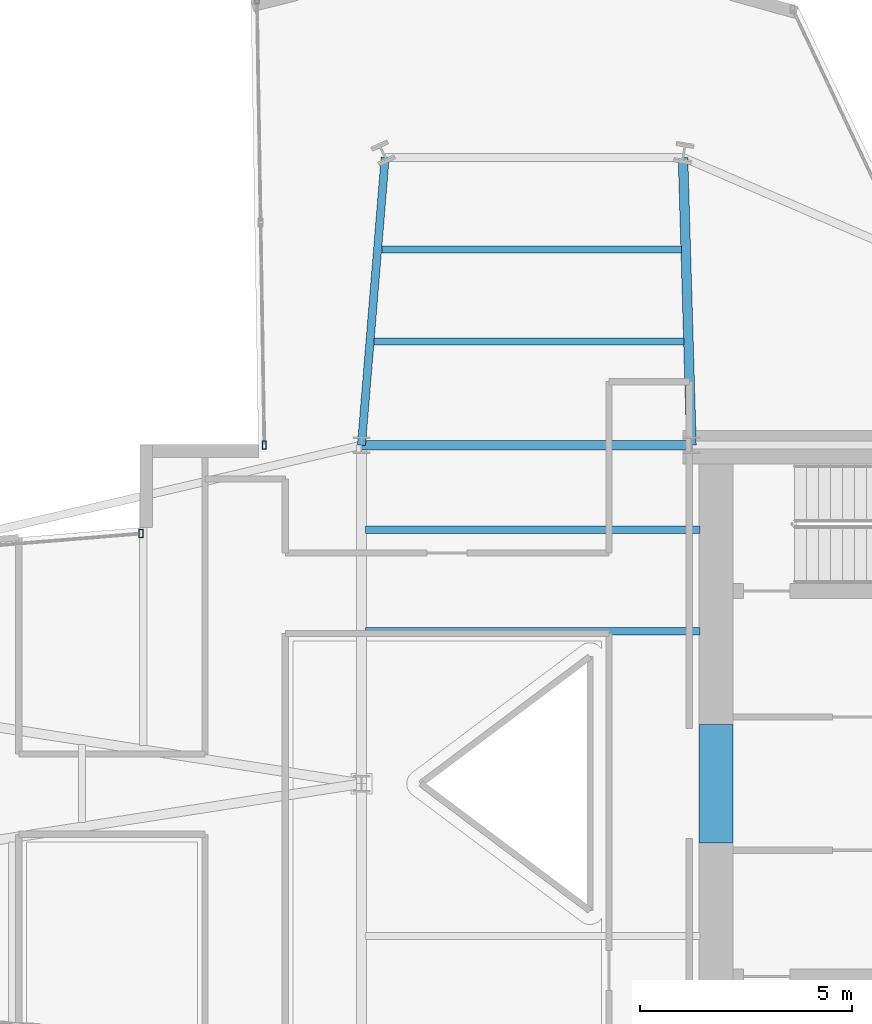
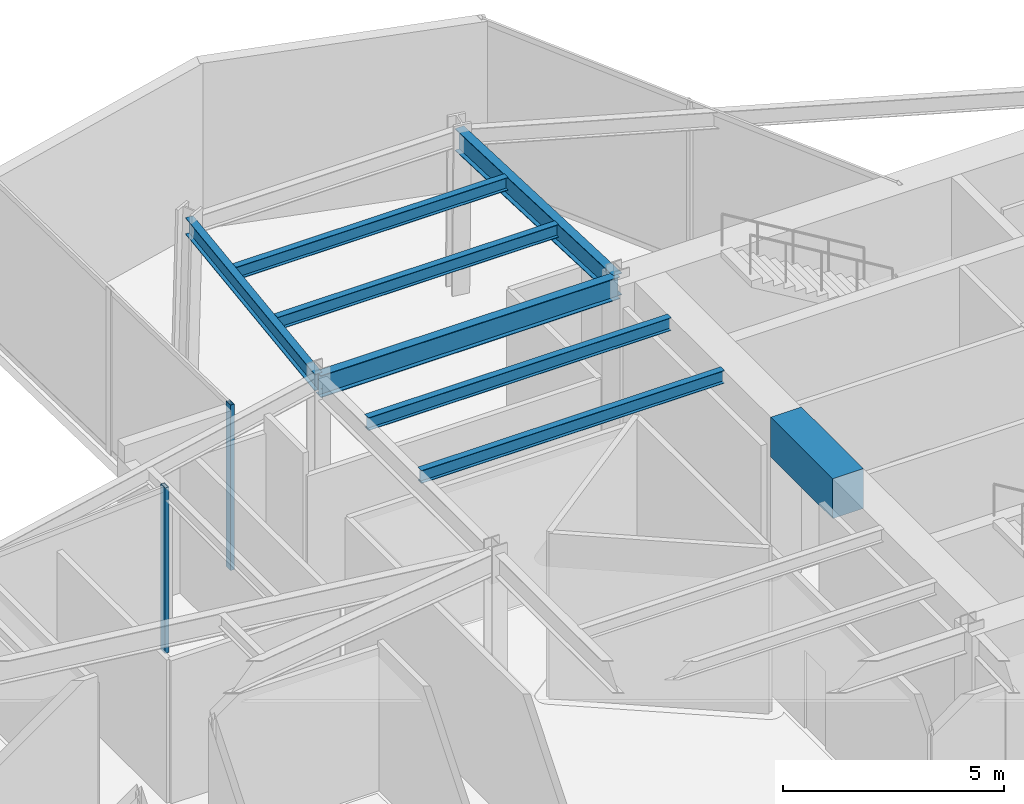
# One storey, part 5 of 13: 8 beams, 2 members, 2 elements without a shape of their own.
"""IFC4 building model written with IfcOpenShell, lengths in metres."""

from ifc_helpers import new_model, si_unit, direction, frame, origin, origin_2d, place, context, subcontext, project, spatial, rectangle, hollow_rectangle, i_section, extrude, material, layer, layer_set, material_profile, profile_set, type_object, element, aggregate, save


model = new_model("IFC4")

# Units and contexts
model_context = context("Model", 3, precision=1e-05, world=origin(), true_north=direction((0.0, 1.0)))
body_context = subcontext(model_context, "Body", "Model", "MODEL_VIEW")
ifc_project = project(units=[si_unit("LENGTHUNIT", "METRE"), si_unit("AREAUNIT", "SQUARE_METRE"), si_unit("VOLUMEUNIT", "CUBIC_METRE"), si_unit("PLANEANGLEUNIT", "RADIAN"), si_unit("MASSUNIT", "GRAM", prefix="KILO")], contexts=[model_context])

# Site, building, storey
site_placement = place(None, origin())
site = spatial("IfcSite", under=ifc_project, at=site_placement, CompositionType="ELEMENT")
building_placement = place(site_placement, origin())
building = spatial("IfcBuilding", under=site, at=building_placement, Name="Veymaron Broadcast Tower", CompositionType="ELEMENT")
storey_placement = place(building_placement, frame((0.0, 0.0, 112.050048828125)))
storey = spatial("IfcBuildingStorey", under=building, at=storey_placement, Name="L25", CompositionType="ELEMENT", Elevation=112.050048828125)

# Beams
ifc_material_1 = material(Name="Concrete C70/85", Category="concrete")
ifc_material_profile_1 = material_profile(ifc_material_1, rectangle(XDim=0.800048828125, YDim=1.10009765625, at=origin_2d()), Name="RC800X1100")
ifc_profile_set_1 = profile_set([ifc_material_profile_1], Name="Concrete C70/85")
beam_type_1 = type_object("IfcBeamType", Name="BM-CB1", PredefinedType="LINTEL", material=ifc_profile_set_1)
beam_1_placement = place(storey_placement, frame((39.580078125, 22.60009765625, 4.010009765625), z_axis=(0.0, 1.0, 0.0), x_axis=(-1.0, 0.0, 0.0)))
element("IfcBeam", 1, at=beam_1_placement, inside=storey, type_object=beam_type_1, Name="L25 Core Wall west coupling beam", PredefinedType="LINTEL", context=body_context, shape_type="SweptSolid", body=[
    extrude(rectangle(XDim=0.800048828125, YDim=1.10009765625, at=origin_2d()), origin(), (0.0, 0.0, 1.0), 2.7998046875),
])
ifc_material_2 = material(Name="Structural steel ASTM A992 Gr 50", Category="steel")
ifc_material_profile_2 = material_profile(ifc_material_2, i_section(OverallWidth=0.22802734375, OverallDepth=0.60791015625, WebThickness=0.01123046875, FlangeThickness=0.017333984375, at=origin_2d()), Name="W610X113")
ifc_profile_set_2 = profile_set([ifc_material_profile_2], Name="Structural steel ASTM A992 Gr 50")
beam_type_2 = type_object("IfcBeamType", Name="BM-FG2", PredefinedType="BEAM", material=ifc_profile_set_2)
beam_2_placement = place(storey_placement, frame((31.199951171875, 32.0, 4.255859375), z_axis=(1.0, 0.0, 0.0), x_axis=(0.0, 1.0, 0.0)))
element("IfcBeam", 2, at=beam_2_placement, inside=storey, type_object=beam_type_2, Name="L25 primary structural floor girder", PredefinedType="BEAM", context=body_context, shape_type="SweptSolid", body=[
    extrude(i_section(OverallWidth=0.22802734375, OverallDepth=0.60791015625, WebThickness=0.01123046875, FlangeThickness=0.017333984375, at=origin_2d()), origin(), (0.0, 0.0, 1.0), 7.800048828125),
])
beam_3_placement = place(storey_placement, frame((39.0, 32.0, 4.255859375), z_axis=(-0.029391669433, 0.99956797156, 0.0), x_axis=(-0.99956797156, -0.029391669433, 0.0)))
element("IfcBeam", 3, at=beam_3_placement, inside=storey, type_object=beam_type_2, Name="L25 primary structural floor girder", PredefinedType="BEAM", context=body_context, shape_type="SweptSolid", body=[
    extrude(i_section(OverallWidth=0.22802734375, OverallDepth=0.60791015625, WebThickness=0.01123046875, FlangeThickness=0.017333984375, at=origin_2d()), origin(), (0.0, 0.0, 1.0), 6.802978515625),
])
ifc_material_profile_3 = material_profile(ifc_material_2, i_section(OverallWidth=0.1708984375, OverallDepth=0.35498046875, WebThickness=0.007080078125, FlangeThickness=0.01171875, at=origin_2d()), Name="W360X51")
ifc_profile_set_3 = profile_set([ifc_material_profile_3], Name="Structural steel ASTM A992 Gr 50")
beam_type_3 = type_object("IfcBeamType", Name="BM-JS2", PredefinedType="JOIST", material=ifc_profile_set_3)
beam_4_placement = place(storey_placement, frame((31.501708984375, 34.447998046875, 4.382568359375), z_axis=(1.0, 0.0, 0.0), x_axis=(0.0, 1.0, 0.0)))
element("IfcBeam", 4, at=beam_4_placement, inside=storey, type_object=beam_type_3, Name="L25 Arm-B secondary joist 1", PredefinedType="JOIST", context=body_context, shape_type="SweptSolid", body=[
    extrude(i_section(OverallWidth=0.1708984375, OverallDepth=0.35498046875, WebThickness=0.007080078125, FlangeThickness=0.01171875, at=origin_2d()), origin(), (0.0, 0.0, 1.0), 7.326171875),
])
beam_5_placement = place(storey_placement, frame((31.680908203125, 36.6240234375, 4.382568359375), z_axis=(1.0, 0.0, 0.0), x_axis=(0.0, 1.0, 0.0)))
element("IfcBeam", 5, at=beam_5_placement, inside=storey, type_object=beam_type_3, Name="L25 Arm-B secondary joist 2", PredefinedType="JOIST", context=body_context, shape_type="SweptSolid", body=[
    extrude(i_section(OverallWidth=0.1708984375, OverallDepth=0.35498046875, WebThickness=0.007080078125, FlangeThickness=0.01171875, at=origin_2d()), origin(), (0.0, 0.0, 1.0), 7.0830078125),
])
for number, where, z_axis, x_axis, name in (
    (6, (31.300048828125, 27.60009765625, 4.382568359375), (1.0, 0.0, 0.0), (0.0, 1.0, 0.0), "L25 Hub secondary joist 3"),
    (7, (31.300048828125, 30.0, 4.382568359375), (1.0, 0.0, 0.0), (0.0, 1.0, 0.0), "L25 Hub secondary joist 4"),
):
    element("IfcBeam", number, at=place(storey_placement, frame(where, z_axis=z_axis, x_axis=x_axis)), inside=storey, type_object=beam_type_3, Name=name, PredefinedType="JOIST", context=body_context, shape_type="SweptSolid", body=[
        extrude(i_section(OverallWidth=0.1708984375, OverallDepth=0.35498046875, WebThickness=0.007080078125, FlangeThickness=0.01171875, at=origin_2d()), origin(), (0.0, 0.0, 1.0), 7.89990234375),
    ])
ifc_material_profile_4 = material_profile(ifc_material_2, i_section(OverallWidth=0.19091796875, OverallDepth=0.4599609375, WebThickness=0.010009765625, FlangeThickness=0.01611328125, at=origin_2d()), Name="W460X82")
ifc_profile_set_4 = profile_set([ifc_material_profile_4], Name="Structural steel ASTM A992 Gr 50")
beam_type_4 = type_object("IfcBeamType", Name="BM-SP1", PredefinedType="SPANDREL", material=ifc_profile_set_4)
beam_6_placement = place(storey_placement, frame((31.199951171875, 32.0, 4.329833984375), z_axis=(0.082083038904, 0.996625493716, 0.0), x_axis=(-0.996625493716, 0.082083038904, 0.0)))
element("IfcBeam", 8, at=beam_6_placement, inside=storey, type_object=beam_type_4, Name="L25 primary structural floor girder", PredefinedType="SPANDREL", context=body_context, shape_type="SweptSolid", body=[
    extrude(i_section(OverallWidth=0.19091796875, OverallDepth=0.4599609375, WebThickness=0.010009765625, FlangeThickness=0.01611328125, at=origin_2d()), origin(), (0.0, 0.0, 1.0), 6.822998046875),
])

# Curtain wall, member
ifc_material_3 = material(Name="Anodised aluminium AA 6063-T6 and laminated low-E dark glass", Category="aluminium")
ifc_layer = layer(ifc_material_3, 0.179931640625)
ifc_layer_set = layer_set([ifc_layer], Name="Anodised aluminium AA 6063-T6 and laminated low-E dark glass")
curtain_wall_type = type_object("IfcCurtainWallType", Name="CW-SYS-04", PredefinedType="NOTDEFINED", material=ifc_layer_set)
curtain_wall_1_placement = place(storey_placement, origin())
curtain_wall_1 = element("IfcCurtainWall", 9, at=curtain_wall_1_placement, inside=storey, type_object=curtain_wall_type, Name="L25 dark-glass curtain wall CW-L25-E8-1", PredefinedType="NOTDEFINED")
ifc_material_4 = material(Name="Anodised aluminium AA 6063-T6", Category="aluminium")
ifc_material_profile_5 = material_profile(ifc_material_4, hollow_rectangle(XDim=0.10009765625, YDim=0.199951171875, WallThickness=0.010009765625, at=origin_2d()), Name="RHS200X100X10")
ifc_profile_set_5 = profile_set([ifc_material_profile_5], Name="Anodised aluminium AA 6063-T6")
member_type = type_object("IfcMemberType", Name="CW-MUL-01", PredefinedType="MULLION", material=ifc_profile_set_5)
member_1_placement = place(storey_placement, frame((28.902587890625, 32.002197265625, 0.0), z_axis=(0.0, 0.0, 1.0), x_axis=(1.0, 0.0, 0.0)))
member_1 = element("IfcMember", 10, at=member_1_placement, type_object=member_type, Name="CW-L25-E8-1 mullion 2", PredefinedType="MULLION", context=body_context, shape_type="SweptSolid", body=[
    extrude(hollow_rectangle(XDim=0.10009765625, YDim=0.199951171875, WallThickness=0.010009765625, at=origin_2d()), origin(), (0.0, 0.0, 1.0), 4.56005859375),
])
aggregate(curtain_wall_1, [member_1])

curtain_wall_2_placement = place(storey_placement, origin())
curtain_wall_2 = element("IfcCurtainWall", 11, at=curtain_wall_2_placement, inside=storey, type_object=curtain_wall_type, Name="L25 dark-glass curtain wall CW-L25-E11-1", PredefinedType="NOTDEFINED")
member_2_placement = place(storey_placement, frame((25.987548828125, 29.911865234375, 0.0), z_axis=(0.0, 0.0, 1.0), x_axis=(1.0, 0.0, 0.0)))
member_2 = element("IfcMember", 12, at=member_2_placement, type_object=member_type, Name="CW-L25-E11-1 mullion 0", PredefinedType="MULLION", context=body_context, shape_type="SweptSolid", body=[
    extrude(hollow_rectangle(XDim=0.10009765625, YDim=0.199951171875, WallThickness=0.010009765625, at=origin_2d()), origin(), (0.0, 0.0, 1.0), 4.56005859375),
])
aggregate(curtain_wall_2, [member_2])

save(model, "model.ifc")
